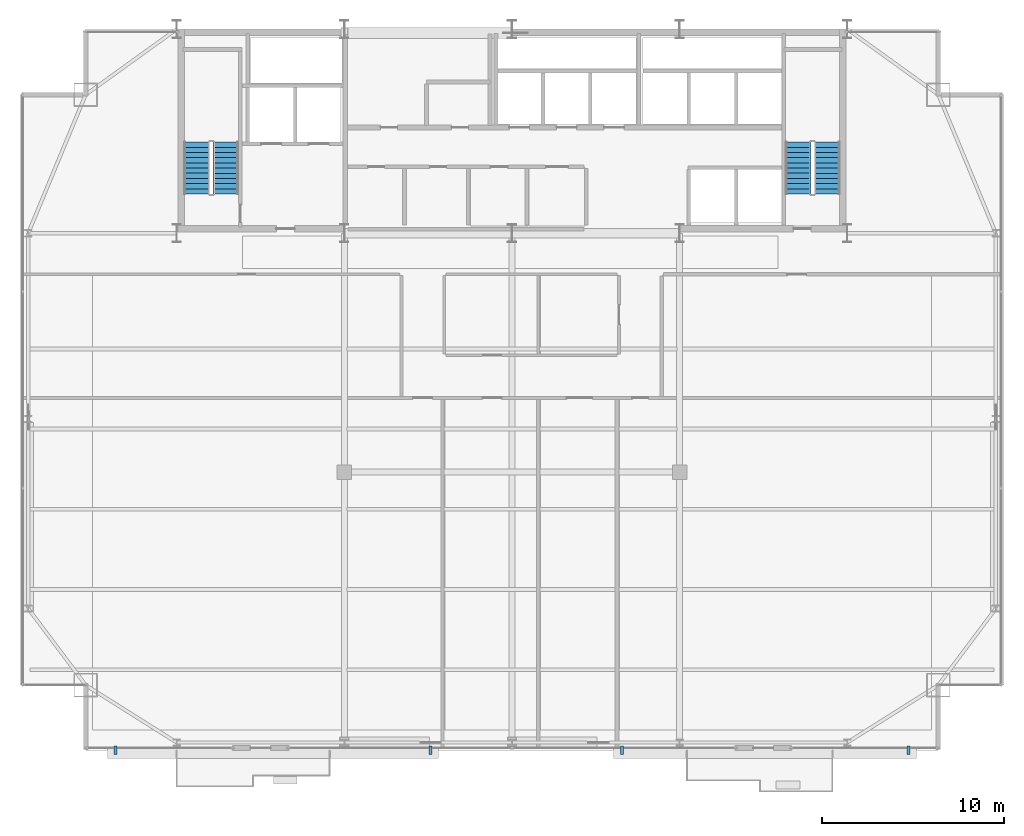
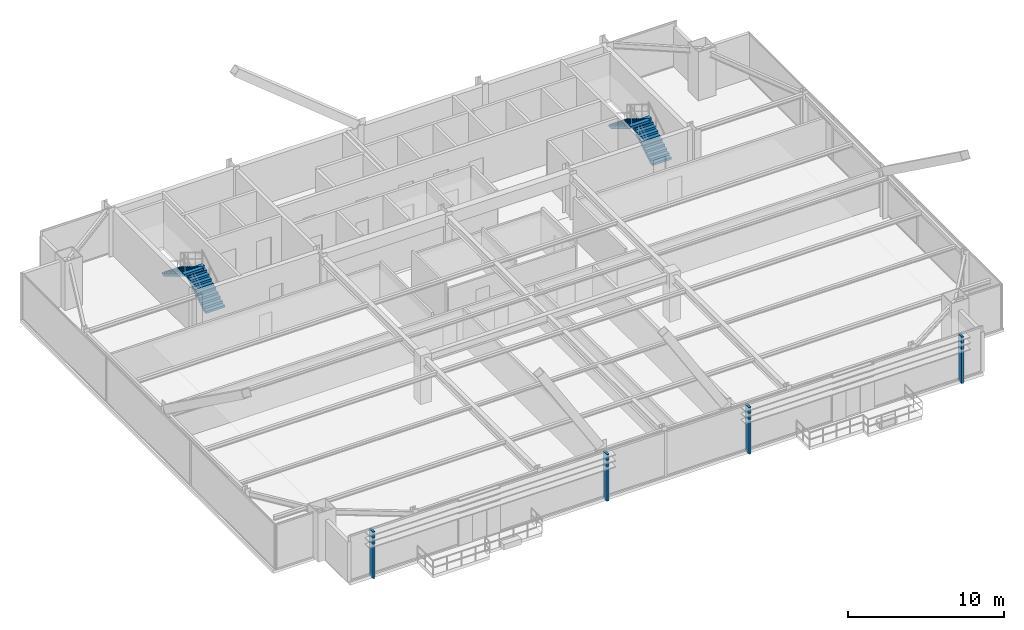
# One storey, part 30 of 32: 4 discrete accessories, 4 stair flights, 2 elements without a shape of their own.
"""IFC4 building model written with IfcOpenShell, lengths in metres."""

import ifcopenshell
import ifcopenshell.guid

model = None  # the IFC model being written
_history = None  # IfcOwnerHistory: only IFC2X3 demands one
_inside = {}  # id of a spatial element -> (the spatial element, [elements in it])
_under = {}  # id of a project, library or spatial element -> (it, [spatial elements below it])
_declared = {}  # id of a project -> (the project, [libraries it declares])
_typed = {}  # id of a type object -> (the type object, [elements of that type])
_made_of = {}  # id of a material, layer set ... -> (it, [elements and type objects made of it])


def new_model(schema):
    """Start an empty IFC model of exactly this schema.

    Asked for "IFC4X3", IfcOpenShell would pick the latest addendum, in which some entities
    have other attributes; the version numbers below select the first issue.
    IFC2X3 requires an IfcOwnerHistory on every rooted entity: one is made here for all.
    """
    global model, _history
    if schema == "IFC4X3":
        model = ifcopenshell.file(schema_version=(4, 3, 0, 0))
    else:
        model = ifcopenshell.file(schema=schema)
    _inside.clear()
    _under.clear()
    _declared.clear()
    _typed.clear()
    _made_of.clear()
    _history = None
    if model.schema == "IFC2X3":
        org = make("IfcOrganization", Name="unknown")
        user = make(
            "IfcPersonAndOrganization",
            ThePerson=make("IfcPerson", FamilyName="unknown"),
            TheOrganization=org,
        )
        app = make(
            "IfcApplication",
            ApplicationDeveloper=org,
            Version="unknown",
            ApplicationFullName="unknown",
            ApplicationIdentifier="unknown",
        )
        _history = make(
            "IfcOwnerHistory",
            OwningUser=user,
            OwningApplication=app,
            ChangeAction="ADDED",
            CreationDate=0,
        )
    return model


def make(cls, **values):
    """One entity of the class cls with the attributes given. An attribute that is None is left unset."""
    return model.create_entity(
        cls, **{name: value for name, value in values.items() if value is not None}
    )


def rooted(cls, **values):
    """An entity with a GlobalId (a new one), such as an element, a storey or a relation."""
    return make(cls, GlobalId=ifcopenshell.guid.new(), OwnerHistory=_history, **values)


def si_unit(unit_type, name, prefix=None):
    """IfcSIUnit, for example si_unit("LENGTHUNIT", "METRE", prefix="MILLI")."""
    return make("IfcSIUnit", UnitType=unit_type, Prefix=prefix, Name=name)


def assignment(units):
    """IfcUnitAssignment: the units of a project."""
    return None if units is None else make("IfcUnitAssignment", Units=units)


def point(xyz):
    """IfcCartesianPoint."""
    return None if xyz is None else make("IfcCartesianPoint", Coordinates=xyz)


def direction(xyz):
    """IfcDirection."""
    return None if xyz is None else make("IfcDirection", DirectionRatios=xyz)


def frame(location, z_axis=None, x_axis=None):
    """IfcAxis2Placement3D, a coordinate frame: its origin and axes. An axis left out is left unset."""
    return make(
        "IfcAxis2Placement3D",
        Location=point(location),
        Axis=direction(z_axis),
        RefDirection=direction(x_axis),
    )


def frame_2d(location, x_axis=None):
    """IfcAxis2Placement2D, a coordinate frame in the plane: its origin and x axis."""
    return make(
        "IfcAxis2Placement2D", Location=point(location), RefDirection=direction(x_axis)
    )


def origin():
    """The frame at (0, 0, 0) with its axes left unset."""
    return frame((0.0, 0.0, 0.0))


def origin_2d():
    """The frame at (0, 0) in the plane with its x axis left unset."""
    return frame_2d((0.0, 0.0))


def place(relative_to, where):
    """IfcLocalPlacement: puts the frame where relative to a parent placement (None: the world)."""
    return make(
        "IfcLocalPlacement", PlacementRelTo=relative_to, RelativePlacement=where
    )


def context(
    kind, dimensions, precision=None, world=None, true_north=None, identifier=None
):
    """IfcGeometricRepresentationContext, for example the 3D "Model" context."""
    return make(
        "IfcGeometricRepresentationContext",
        ContextIdentifier=identifier,
        ContextType=kind,
        CoordinateSpaceDimension=dimensions,
        Precision=precision,
        WorldCoordinateSystem=world,
        TrueNorth=true_north,
    )


def subcontext(parent, identifier, kind, view, scale=None):
    """IfcGeometricRepresentationSubContext, for example "Body" below "Model"."""
    return make(
        "IfcGeometricRepresentationSubContext",
        ContextIdentifier=identifier,
        ContextType=kind,
        ParentContext=parent,
        TargetScale=scale,
        TargetView=view,
    )


def project(units=None, contexts=None):
    """IfcProject with its units and contexts."""
    return rooted(
        "IfcProject",
        Name="project",
        RepresentationContexts=contexts,
        UnitsInContext=assignment(units),
    )


def spatial(cls, under=None, at=None, **own):
    """A site, building, storey or space (cls), placed at a placement, below another one or the project."""
    s = rooted(cls, ObjectPlacement=at, **own)
    if under is not None:
        _under.setdefault(under.id(), (under, []))[1].append(s)
    return s


def polyline(points):
    """IfcPolyline through the points."""
    return make("IfcPolyline", Points=[point(p) for p in points])


def profile(cls, at=None, kind="AREA", **sizes):
    """A parametric profile (cls). Its sizes go by their IFC names, for example OverallWidth=200.0."""
    return make(cls, ProfileType=kind, Position=at, **sizes)


def rectangle(**sizes):
    """IfcRectangleProfileDef."""
    return profile("IfcRectangleProfileDef", **sizes)


def outline(outer, holes=None, kind="AREA"):
    """IfcArbitraryClosedProfileDef: a profile drawn as a closed curve; with holes, ...WithVoids."""
    if holes is None:
        return make("IfcArbitraryClosedProfileDef", ProfileType=kind, OuterCurve=outer)
    return make(
        "IfcArbitraryProfileDefWithVoids",
        ProfileType=kind,
        OuterCurve=outer,
        InnerCurves=holes,
    )


def extrude(swept, where, along, depth):
    """IfcExtrudedAreaSolid: the profile swept, set in the frame where, extruded along a direction by depth."""
    return make(
        "IfcExtrudedAreaSolid",
        SweptArea=swept,
        Position=where,
        ExtrudedDirection=direction(along),
        Depth=depth,
    )


def shape(context_of_items, identifier, shape_type, items):
    """IfcShapeRepresentation: the items that make up one representation, for example the "Body"."""
    return make(
        "IfcShapeRepresentation",
        ContextOfItems=context_of_items,
        RepresentationIdentifier=identifier,
        RepresentationType=shape_type,
        Items=items,
    )


def source(mapping_origin, context_of_items, identifier, shape_type, items):
    """IfcRepresentationMap: a shape defined once, which mapped items show again and again."""
    return make(
        "IfcRepresentationMap",
        MappingOrigin=mapping_origin,
        MappedRepresentation=shape(context_of_items, identifier, shape_type, items),
    )


def transform(
    local_origin,
    x_axis=None,
    y_axis=None,
    z_axis=None,
    scale=None,
    scale2=None,
    scale3=None,
    uniform=True,
):
    """IfcCartesianTransformationOperator3D, or its non-uniform kind. x_axis, y_axis, z_axis: its Axis1, 2, 3."""
    if uniform:
        return make(
            "IfcCartesianTransformationOperator3D",
            Axis1=direction(x_axis),
            Axis2=direction(y_axis),
            LocalOrigin=point(local_origin),
            Scale=scale,
            Axis3=direction(z_axis),
        )
    return make(
        "IfcCartesianTransformationOperator3DnonUniform",
        Axis1=direction(x_axis),
        Axis2=direction(y_axis),
        LocalOrigin=point(local_origin),
        Scale=scale,
        Axis3=direction(z_axis),
        Scale2=scale2,
        Scale3=scale3,
    )


def mapped(mapping_source, mapping_target):
    """IfcMappedItem: shows the shape of a source again, moved by a transform."""
    return make(
        "IfcMappedItem", MappingSource=mapping_source, MappingTarget=mapping_target
    )


def material(Name=None, Category=None):
    """IfcMaterial."""
    return make("IfcMaterial", Name=Name, Category=Category)


def layer(
    of_material, thickness, ventilated=None, Name=None, Category=None, Priority=None
):
    """IfcMaterialLayer: one layer of a wall or slab, of a material (None: an air gap)."""
    return make(
        "IfcMaterialLayer",
        Material=of_material,
        LayerThickness=thickness,
        IsVentilated=ventilated,
        Name=Name,
        Category=Category,
        Priority=Priority,
    )


def layer_set(layers, Name=None):
    """IfcMaterialLayerSet."""
    return make("IfcMaterialLayerSet", MaterialLayers=layers, LayerSetName=Name)


def made_of(thing, what):
    """Note that an element or type object is made of a material, layer set ...; save() writes the relation."""
    if what is not None:
        _made_of.setdefault(what.id(), (what, []))[1].append(thing)
    return thing


def type_object(cls, material=None, **own):
    """A type object (cls), such as IfcWallType, which elements share."""
    return made_of(rooted(cls, **own), material)


def type_shapes(of_type, sources):
    """Give a type object the sources (RepresentationMaps) that its elements show as mapped items."""
    of_type.RepresentationMaps = sources


def element(
    cls,
    number,
    at=None,
    inside=None,
    cuts=None,
    type_object=None,
    material=None,
    context=None,
    identifier="Body",
    shape_type=None,
    held_by="IfcProductDefinitionShape",
    body=None,
    shapes=None,
    **own,
):
    """One element of the class cls, such as IfcWall. Its Tag is "e" and its number.

    at: its placement. inside: the storey or other place that contains it. cuts: it is an
    opening in that element (IfcRelVoidsElement). A single representation is given by context,
    identifier, shape_type and body (its items); several are given by shapes. held_by: the class
    of the entity that holds the representations. save() writes the other relations.
    """
    e = rooted(cls, Tag="e%d" % number, ObjectPlacement=at, **own)
    if body is not None:
        shapes = [shape(context, identifier, shape_type, body)]
    if shapes is not None:
        e.Representation = make(held_by, Representations=shapes)
    if inside is not None:
        _inside.setdefault(inside.id(), (inside, []))[1].append(e)
    if cuts is not None:
        rooted(
            "IfcRelVoidsElement", RelatingBuildingElement=cuts, RelatedOpeningElement=e
        )
    if type_object is not None:
        _typed.setdefault(type_object.id(), (type_object, []))[1].append(e)
    return made_of(e, material)


def aggregate(whole, parts):
    """IfcRelAggregates: a whole, such as a stair, and the parts it consists of."""
    return rooted("IfcRelAggregates", RelatingObject=whole, RelatedObjects=parts)


def save(model, path):
    """Write the relations noted so far, then the file.

    IfcRelAggregates (storeys below a building ...), IfcRelContainedInSpatialStructure (elements
    in a storey), IfcRelDefinesByType, IfcRelAssociatesMaterial and IfcRelDeclares: one each for
    every whole, place, type object, material and project.
    """
    for whole, parts in _under.values():
        aggregate(whole, parts)
    for where, things in _inside.values():
        rooted(
            "IfcRelContainedInSpatialStructure",
            RelatedElements=things,
            RelatingStructure=where,
        )
    for kind, things in _typed.values():
        rooted("IfcRelDefinesByType", RelatedObjects=things, RelatingType=kind)
    for what, things in _made_of.values():
        rooted("IfcRelAssociatesMaterial", RelatedObjects=things, RelatingMaterial=what)
    for by, libraries in _declared.values():
        rooted("IfcRelDeclares", RelatingContext=by, RelatedDefinitions=libraries)
    model.write(path)


model = new_model("IFC4")

# Units and contexts
model_context = context("Model", 3, precision=1e-05, world=origin(), true_north=direction((0.0, 1.0)))
body_context = subcontext(model_context, "Body", "Model", "MODEL_VIEW")
ifc_project = project(units=[si_unit("LENGTHUNIT", "METRE"), si_unit("AREAUNIT", "SQUARE_METRE"), si_unit("VOLUMEUNIT", "CUBIC_METRE"), si_unit("PLANEANGLEUNIT", "RADIAN"), si_unit("MASSUNIT", "GRAM", prefix="KILO")], contexts=[model_context])

# Site, building, storey
site_placement = place(None, origin())
site = spatial("IfcSite", under=ifc_project, at=site_placement, CompositionType="ELEMENT")
building_placement = place(site_placement, origin())
building = spatial("IfcBuilding", under=site, at=building_placement, Name="Varnel Quay Broadcast Tower", CompositionType="ELEMENT")
storey_placement = place(building_placement, frame((0.0, 0.0, 164.800048828125)))
storey = spatial("IfcBuildingStorey", under=building, at=storey_placement, Name="L40", CompositionType="ELEMENT", Elevation=164.800048828125)

# Stair, stair flights
ifc_material_1 = material(Name="Precast Structural Concrete C40/50", Category="concrete")
stair_type_1 = type_object("IfcStairType", Name="Stair_ST-01", PredefinedType="HALF_TURN_STAIR", material=ifc_material_1)
stair_1_placement = place(storey_placement, origin())
stair_1 = element("IfcStair", 1, at=stair_1_placement, inside=storey, type_object=stair_type_1, Name="L40 West Core Exit Stair 1", PredefinedType="HALF_TURN_STAIR")
stair_flight_type_1 = type_object("IfcStairFlightType", Name="Flight_ST-01", PredefinedType="STRAIGHT", material=ifc_material_1)
stair_flight_1_placement = place(storey_placement, frame((18.300048828125, 37.75, 0.0), z_axis=(0.0, 0.0, 1.0), x_axis=(0.0, 1.0, 0.0)))
stair_flight_1 = element("IfcStairFlight", 2, at=stair_flight_1_placement, type_object=stair_flight_type_1, Name="ST-01 flight 1", NumberOfRisers=11, NumberOfTreads=10, PredefinedType="STRAIGHT", RiserHeight=0.172727273, TreadLength=0.285, context=body_context, shape_type="SweptSolid", body=[
    extrude(outline(polyline([(0.0, 0.0), (0.0, 0.172607421875), (0.284912109375, 0.172607421875), (0.284912109375, 0.345458984375), (0.570068359375, 0.345458984375), (0.570068359375, 0.51806640625), (0.85498046875, 0.51806640625), (0.85498046875, 0.69091796875), (1.139892578125, 0.69091796875), (1.139892578125, 0.863525390625), (1.425048828125, 0.863525390625), (1.425048828125, 1.036376953125), (1.7099609375, 1.036376953125), (1.7099609375, 1.208984375), (1.9951171875, 1.208984375), (1.9951171875, 1.3818359375), (2.280029296875, 1.3818359375), (2.280029296875, 1.554443359375), (2.56494140625, 1.554443359375), (2.56494140625, 1.727294921875), (2.85009765625, 1.727294921875), (2.85009765625, 1.89990234375), (2.85009765625, 1.552001953125), (0.289306640625, 0.0), (0.0, 0.0)])), frame((0.0, 0.699951171875, 0.0), z_axis=(0.0, -1.0, 0.0), x_axis=(1.0, 0.0, 0.0)), (0.0, 0.0, 1.0), 1.39990234375),
])
stair_flight_2_placement = place(storey_placement, frame((16.699951171875, 40.60009765625, 1.89990234375), z_axis=(0.0, 0.0, 1.0), x_axis=(0.0, -1.0, 0.0)))
stair_flight_2 = element("IfcStairFlight", 3, at=stair_flight_2_placement, type_object=stair_flight_type_1, Name="ST-01 flight 2", NumberOfRisers=11, NumberOfTreads=10, PredefinedType="STRAIGHT", RiserHeight=0.172727273, TreadLength=0.285, context=body_context, shape_type="SweptSolid", body=[
    extrude(outline(polyline([(0.0, 0.0), (0.0, 0.172607421875), (0.284912109375, 0.172607421875), (0.284912109375, 0.345458984375), (0.570068359375, 0.345458984375), (0.570068359375, 0.51806640625), (0.85498046875, 0.51806640625), (0.85498046875, 0.69091796875), (1.139892578125, 0.69091796875), (1.139892578125, 0.863525390625), (1.425048828125, 0.863525390625), (1.425048828125, 1.036376953125), (1.7099609375, 1.036376953125), (1.7099609375, 1.208984375), (1.9951171875, 1.208984375), (1.9951171875, 1.3818359375), (2.280029296875, 1.3818359375), (2.280029296875, 1.554443359375), (2.56494140625, 1.554443359375), (2.56494140625, 1.727294921875), (2.85009765625, 1.727294921875), (2.85009765625, 1.89990234375), (2.85009765625, 1.552001953125), (0.289306640625, 0.0), (0.0, 0.0)])), frame((0.0, 0.699951171875, 0.0), z_axis=(0.0, -1.0, 0.0), x_axis=(1.0, 0.0, 0.0)), (0.0, 0.0, 1.0), 1.39990234375),
])
aggregate(stair_1, [stair_flight_1, stair_flight_2])

stair_type_2 = type_object("IfcStairType", Name="Stair_ST-02", PredefinedType="HALF_TURN_STAIR", material=ifc_material_1)
stair_2_placement = place(storey_placement, origin())
stair_2 = element("IfcStair", 4, at=stair_2_placement, inside=storey, type_object=stair_type_2, Name="L40 East Core Exit Stair 2", PredefinedType="HALF_TURN_STAIR")
stair_flight_type_2 = type_object("IfcStairFlightType", Name="Flight_ST-02", PredefinedType="STRAIGHT", material=ifc_material_1)
stair_flight_3_placement = place(storey_placement, frame((51.300048828125, 37.75, 0.0), z_axis=(0.0, 0.0, 1.0), x_axis=(0.0, 1.0, 0.0)))
stair_flight_3 = element("IfcStairFlight", 5, at=stair_flight_3_placement, type_object=stair_flight_type_2, Name="ST-02 flight 1", NumberOfRisers=11, NumberOfTreads=10, PredefinedType="STRAIGHT", RiserHeight=0.172727273, TreadLength=0.285, context=body_context, shape_type="SweptSolid", body=[
    extrude(outline(polyline([(0.0, 0.0), (0.0, 0.172607421875), (0.284912109375, 0.172607421875), (0.284912109375, 0.345458984375), (0.570068359375, 0.345458984375), (0.570068359375, 0.51806640625), (0.85498046875, 0.51806640625), (0.85498046875, 0.69091796875), (1.139892578125, 0.69091796875), (1.139892578125, 0.863525390625), (1.425048828125, 0.863525390625), (1.425048828125, 1.036376953125), (1.7099609375, 1.036376953125), (1.7099609375, 1.208984375), (1.9951171875, 1.208984375), (1.9951171875, 1.3818359375), (2.280029296875, 1.3818359375), (2.280029296875, 1.554443359375), (2.56494140625, 1.554443359375), (2.56494140625, 1.727294921875), (2.85009765625, 1.727294921875), (2.85009765625, 1.89990234375), (2.85009765625, 1.552001953125), (0.289306640625, 0.0), (0.0, 0.0)])), frame((0.0, 0.699951171875, 0.0), z_axis=(0.0, -1.0, 0.0), x_axis=(1.0, 0.0, 0.0)), (0.0, 0.0, 1.0), 1.39990234375),
])
stair_flight_4_placement = place(storey_placement, frame((49.699951171875, 40.60009765625, 1.89990234375), z_axis=(0.0, 0.0, 1.0), x_axis=(0.0, -1.0, 0.0)))
stair_flight_4 = element("IfcStairFlight", 6, at=stair_flight_4_placement, type_object=stair_flight_type_2, Name="ST-02 flight 2", NumberOfRisers=11, NumberOfTreads=10, PredefinedType="STRAIGHT", RiserHeight=0.172727273, TreadLength=0.285, context=body_context, shape_type="SweptSolid", body=[
    extrude(outline(polyline([(0.0, 0.0), (0.0, 0.172607421875), (0.284912109375, 0.172607421875), (0.284912109375, 0.345458984375), (0.570068359375, 0.345458984375), (0.570068359375, 0.51806640625), (0.85498046875, 0.51806640625), (0.85498046875, 0.69091796875), (1.139892578125, 0.69091796875), (1.139892578125, 0.863525390625), (1.425048828125, 0.863525390625), (1.425048828125, 1.036376953125), (1.7099609375, 1.036376953125), (1.7099609375, 1.208984375), (1.9951171875, 1.208984375), (1.9951171875, 1.3818359375), (2.280029296875, 1.3818359375), (2.280029296875, 1.554443359375), (2.56494140625, 1.554443359375), (2.56494140625, 1.727294921875), (2.85009765625, 1.727294921875), (2.85009765625, 1.89990234375), (2.85009765625, 1.552001953125), (0.289306640625, 0.0), (0.0, 0.0)])), frame((0.0, 0.699951171875, 0.0), z_axis=(0.0, -1.0, 0.0), x_axis=(1.0, 0.0, 0.0)), (0.0, 0.0, 1.0), 1.39990234375),
])
aggregate(stair_2, [stair_flight_3, stair_flight_4])

# Discrete accessories
ifc_material_2 = material(Name="Anodised Bronze Aluminium 6063-T6", Category="aluminium")
ifc_layer = layer(ifc_material_2, 0.47998046875, Name="Anodised Bronze Aluminium 6063-T6")
ifc_layer_set = layer_set([ifc_layer], Name="Anodised Bronze Aluminium 6063-T6")
discrete_accessory_type = type_object("IfcDiscreteAccessoryType", Name="Acc_FacadeBracket", PredefinedType="BRACKET", material=ifc_layer_set)
shared_shape = source(origin(), body_context, "Body", "SweptSolid", [
    extrude(rectangle(XDim=0.159912109375, YDim=0.47998046875, at=origin_2d()), origin(), (0.0, 0.0, 1.0), 3.64990234375),
])
type_shapes(discrete_accessory_type, [shared_shape])
for number, where, z_axis, x_axis, name in (
    (7, (12.25, 7.219970703125, -0.14990234375), (0.0, 0.0, 1.0), (1.0, 0.0, 0.0), "L40 Lobe 1 Louvre Support Bracket 1"),
    (8, (29.529052734375, 7.219970703125, -0.14990234375), (0.0, 0.0, 1.0), (1.0, 0.0, 0.0), "L40 Lobe 1 Louvre Support Bracket 2"),
    (9, (40.029052734375, 7.219970703125, -0.14990234375), (0.0, 0.0, 1.0), (1.0, 0.0, 0.0), "L40 Lobe 2 Louvre Support Bracket 1"),
    (10, (55.75, 7.219970703125, -0.14990234375), (0.0, 0.0, 1.0), (1.0, 0.0, 0.0), "L40 Lobe 2 Louvre Support Bracket 2"),
):
    element("IfcDiscreteAccessory", number, at=place(storey_placement, frame(where, z_axis=z_axis, x_axis=x_axis)), inside=storey, type_object=discrete_accessory_type, Name=name, PredefinedType="BRACKET", context=body_context, shape_type="MappedRepresentation", body=[
        mapped(shared_shape, transform((0.0, 0.0, 0.0), x_axis=(1.0, 0.0, 0.0), y_axis=(0.0, 1.0, 0.0), z_axis=(0.0, 0.0, 1.0), scale=1.0)),
    ])

save(model, "model.ifc")
